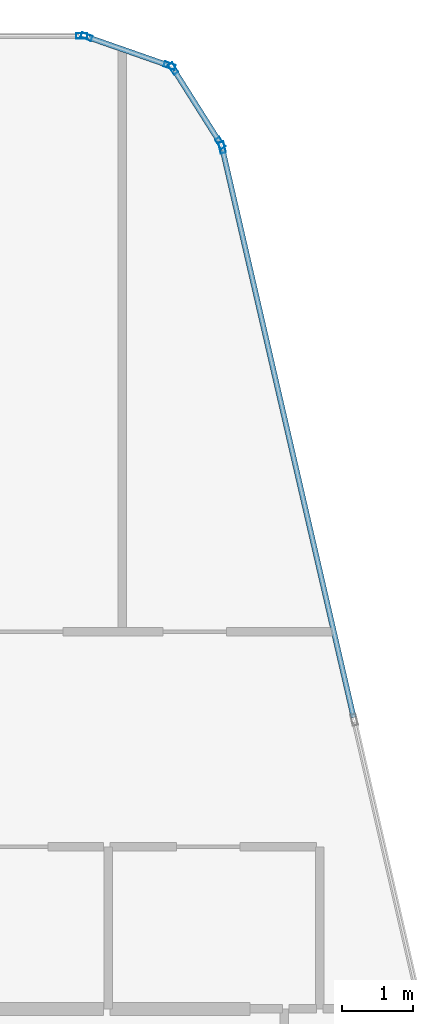
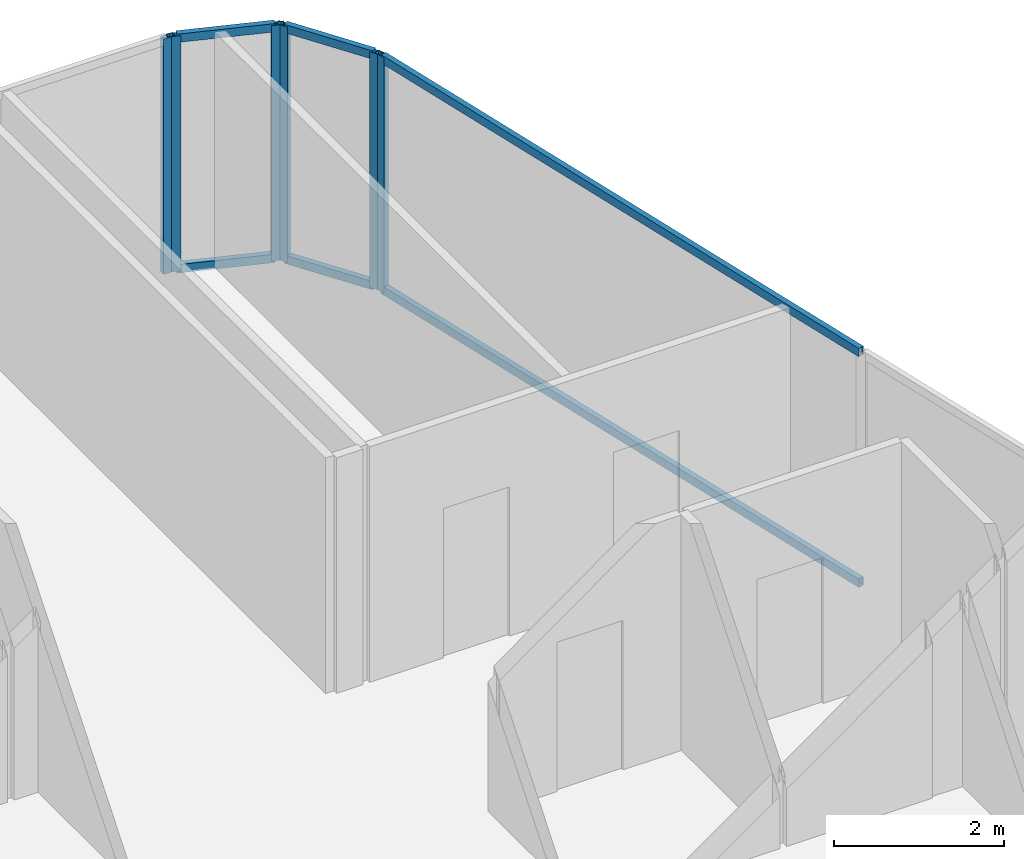
# One storey, part 21 of 29: 12 members, 4 elements without a shape of their own.
"""IFC4 building model written with IfcOpenShell, lengths in metres."""

from ifc_helpers import new_model, si_unit, direction, frame, origin, origin_2d, place, context, subcontext, project, spatial, hollow_rectangle, extrude, material, layer, layer_set, material_profile, profile_set, type_object, element, aggregate, save


model = new_model("IFC4")

# Units and contexts
model_context = context("Model", 3, precision=1e-05, world=origin(), true_north=direction((0.0, 1.0)))
body_context = subcontext(model_context, "Body", "Model", "MODEL_VIEW")
ifc_project = project(units=[si_unit("LENGTHUNIT", "METRE"), si_unit("AREAUNIT", "SQUARE_METRE"), si_unit("VOLUMEUNIT", "CUBIC_METRE"), si_unit("PLANEANGLEUNIT", "RADIAN"), si_unit("MASSUNIT", "GRAM", prefix="KILO")], contexts=[model_context])

# Site, building, storey
site_placement = place(None, origin())
site = spatial("IfcSite", under=ifc_project, at=site_placement, CompositionType="ELEMENT")
building_placement = place(site_placement, origin())
building = spatial("IfcBuilding", under=site, at=building_placement, Name="Keshet Zoharim Tower", CompositionType="ELEMENT")
storey_placement = place(building_placement, frame((0.0, 0.0, 199.5)))
storey = spatial("IfcBuildingStorey", under=building, at=storey_placement, Name="L49", CompositionType="ELEMENT", Elevation=199.5)

# Curtain wall, member
ifc_material = material(Name="Aluminium 6063-T6", Category="aluminium")
ifc_layer = layer(ifc_material, 0.139892578125)
ifc_layer_set = layer_set([ifc_layer], Name="Aluminium 6063-T6")
curtain_wall_type = type_object("IfcCurtainWallType", Name="CW-SYS-05", PredefinedType="NOTDEFINED", material=ifc_layer_set)
curtain_wall_1_placement = place(storey_placement, origin())
curtain_wall_1 = element("IfcCurtainWall", 1, at=curtain_wall_1_placement, inside=storey, type_object=curtain_wall_type, Name="L49 Unitised Curtain Wall 16 Part 3", PredefinedType="NOTDEFINED")
ifc_material_profile_1 = material_profile(ifc_material, hollow_rectangle(XDim=0.074951171875, YDim=0.159912109375, WallThickness=0.00390625, at=origin_2d()), Name="MUL-75x160")
ifc_profile_set_1 = profile_set([ifc_material_profile_1], Name="Aluminium 6063-T6")
member_type_1 = type_object("IfcMemberType", Name="CWM-M15", PredefinedType="MULLION", material=ifc_profile_set_1)
member_1_placement = place(storey_placement, frame((37.3740234375, 53.89990234375, 0.0), z_axis=(0.0, 0.0, 1.0), x_axis=(0.0, 1.0, 0.0)))
member_1 = element("IfcMember", 2, at=member_1_placement, type_object=member_type_1, Name="CW-05 mullion 3", PredefinedType="MULLION", context=body_context, shape_type="SweptSolid", body=[
    extrude(hollow_rectangle(XDim=0.074951171875, YDim=0.159912109375, WallThickness=0.00390625, at=origin_2d()), origin(), (0.0, 0.0, 1.0), 3.389892578125),
])
aggregate(curtain_wall_1, [member_1])

# Curtain wall, members
curtain_wall_2_placement = place(storey_placement, origin())
curtain_wall_2 = element("IfcCurtainWall", 3, at=curtain_wall_2_placement, inside=storey, type_object=curtain_wall_type, Name="L49 Unitised Curtain Wall 17", PredefinedType="NOTDEFINED")
member_2_placement = place(storey_placement, frame((37.442138671875, 53.888427734375, 0.0), z_axis=(0.0, 0.0, 1.0), x_axis=(0.329843743636, 0.944035542119, 0.0)))
member_2 = element("IfcMember", 4, at=member_2_placement, type_object=member_type_1, Name="CW-05 mullion 1", PredefinedType="MULLION", context=body_context, shape_type="SweptSolid", body=[
    extrude(hollow_rectangle(XDim=0.074951171875, YDim=0.159912109375, WallThickness=0.00390625, at=origin_2d()), origin(), (0.0, 0.0, 1.0), 3.389892578125),
])
member_3_placement = place(storey_placement, frame((38.620849609375, 53.4765625, 0.0), z_axis=(0.0, 0.0, 1.0), x_axis=(0.329843743636, 0.944035542119, 0.0)))
member_3 = element("IfcMember", 5, at=member_3_placement, type_object=member_type_1, Name="CW-05 mullion 2", PredefinedType="MULLION", context=body_context, shape_type="SweptSolid", body=[
    extrude(hollow_rectangle(XDim=0.074951171875, YDim=0.159912109375, WallThickness=0.00390625, at=origin_2d()), origin(), (0.0, 0.0, 1.0), 3.389892578125),
])

curtain_wall_3_placement = place(storey_placement, origin())
curtain_wall_3 = element("IfcCurtainWall", 6, at=curtain_wall_3_placement, inside=storey, type_object=curtain_wall_type, Name="L49 Unitised Curtain Wall 18", PredefinedType="NOTDEFINED")
member_4_placement = place(storey_placement, frame((38.672607421875, 53.435302734375, 0.0), z_axis=(0.0, 0.0, 1.0), x_axis=(0.845560976183, 0.533878858502, 0.0)))
member_4 = element("IfcMember", 7, at=member_4_placement, type_object=member_type_1, Name="CW-05 mullion 1", PredefinedType="MULLION", context=body_context, shape_type="SweptSolid", body=[
    extrude(hollow_rectangle(XDim=0.074951171875, YDim=0.159912109375, WallThickness=0.00390625, at=origin_2d()), origin(), (0.0, 0.0, 1.0), 3.389892578125),
])
member_5_placement = place(storey_placement, frame((39.33935546875, 52.379638671875, 0.0), z_axis=(0.0, 0.0, 1.0), x_axis=(0.845560976183, 0.533878858502, 0.0)))
member_5 = element("IfcMember", 8, at=member_5_placement, type_object=member_type_1, Name="CW-05 mullion 2", PredefinedType="MULLION", context=body_context, shape_type="SweptSolid", body=[
    extrude(hollow_rectangle(XDim=0.074951171875, YDim=0.159912109375, WallThickness=0.00390625, at=origin_2d()), origin(), (0.0, 0.0, 1.0), 3.389892578125),
])

# Curtain wall, member
curtain_wall_4_placement = place(storey_placement, origin())
curtain_wall_4 = element("IfcCurtainWall", 9, at=curtain_wall_4_placement, inside=storey, type_object=curtain_wall_type, Name="L49 Unitised Curtain Wall 19", PredefinedType="NOTDEFINED")
member_6_placement = place(storey_placement, frame((39.365966796875, 52.31591796875, 0.0), z_axis=(0.0, 0.0, 1.0), x_axis=(0.974393882313, 0.224847864369, 0.0)))
member_6 = element("IfcMember", 10, at=member_6_placement, type_object=member_type_1, Name="CW-05 mullion 1", PredefinedType="MULLION", context=body_context, shape_type="SweptSolid", body=[
    extrude(hollow_rectangle(XDim=0.074951171875, YDim=0.159912109375, WallThickness=0.00390625, at=origin_2d()), origin(), (0.0, 0.0, 1.0), 3.389892578125),
])

# Member
ifc_material_profile_2 = material_profile(ifc_material, hollow_rectangle(XDim=0.074951171875, YDim=0.1201171875, WallThickness=0.00390625, at=origin_2d()), Name="TRN-75x120")
ifc_profile_set_2 = profile_set([ifc_material_profile_2], Name="Aluminium 6063-T6")
member_type_2 = type_object("IfcMemberType", Name="CWT-T12", PredefinedType="USERDEFINED", material=ifc_profile_set_2)
member_7_placement = place(storey_placement, frame((37.47509765625, 53.876953125, 0.034912109375), z_axis=(0.944006789648, -0.329926023675, 0.0), x_axis=(0.329926023675, 0.944006789648, 0.0)))
member_7 = element("IfcMember", 11, at=member_7_placement, type_object=member_type_2, Name="CW-05 transom 1.1", ObjectType="TRANSOM", PredefinedType="USERDEFINED", context=body_context, shape_type="SweptSolid", body=[
    extrude(hollow_rectangle(XDim=0.074951171875, YDim=0.1201171875, WallThickness=0.00390625, at=origin_2d()), origin(), (0.0, 0.0, 1.0), 1.1787109375),
])

member_8_placement = place(storey_placement, frame((37.47509765625, 53.876953125, 3.35498046875), z_axis=(0.944006789648, -0.329926023675, 0.0), x_axis=(0.329926023675, 0.944006789648, 0.0)))
member_8 = element("IfcMember", 12, at=member_8_placement, type_object=member_type_2, Name="CW-05 transom 1.2", ObjectType="TRANSOM", PredefinedType="USERDEFINED", context=body_context, shape_type="SweptSolid", body=[
    extrude(hollow_rectangle(XDim=0.074951171875, YDim=0.1201171875, WallThickness=0.00390625, at=origin_2d()), origin(), (0.0, 0.0, 1.0), 1.1787109375),
])

aggregate(curtain_wall_2, [member_2, member_3, member_7, member_8])

member_9_placement = place(storey_placement, frame((38.69140625, 53.40576171875, 0.034912109375), z_axis=(0.53382931122, -0.845592257819, 0.0), x_axis=(0.845592257819, 0.53382931122, 0.0)))
member_9 = element("IfcMember", 13, at=member_9_placement, type_object=member_type_2, Name="CW-05 transom 1.1", ObjectType="TRANSOM", PredefinedType="USERDEFINED", context=body_context, shape_type="SweptSolid", body=[
    extrude(hollow_rectangle(XDim=0.074951171875, YDim=0.1201171875, WallThickness=0.00390625, at=origin_2d()), origin(), (0.0, 0.0, 1.0), 1.178466796875),
])

member_10_placement = place(storey_placement, frame((38.69140625, 53.40576171875, 3.35498046875), z_axis=(0.53382931122, -0.845592257819, 0.0), x_axis=(0.845592257819, 0.53382931122, 0.0)))
member_10 = element("IfcMember", 14, at=member_10_placement, type_object=member_type_2, Name="CW-05 transom 1.2", ObjectType="TRANSOM", PredefinedType="USERDEFINED", context=body_context, shape_type="SweptSolid", body=[
    extrude(hollow_rectangle(XDim=0.074951171875, YDim=0.1201171875, WallThickness=0.00390625, at=origin_2d()), origin(), (0.0, 0.0, 1.0), 1.178466796875),
])

aggregate(curtain_wall_3, [member_4, member_5, member_9, member_10])

member_11_placement = place(storey_placement, frame((39.373779296875, 52.28173828125, 0.034912109375), z_axis=(0.224835758738, -0.974396675688, 0.0), x_axis=(0.974396675688, 0.224835758738, 0.0)))
member_11 = element("IfcMember", 15, at=member_11_placement, type_object=member_type_2, Name="CW-05 transom 1.1", ObjectType="TRANSOM", PredefinedType="USERDEFINED", context=body_context, shape_type="SweptSolid", body=[
    extrude(hollow_rectangle(XDim=0.074951171875, YDim=0.1201171875, WallThickness=0.00390625, at=origin_2d()), origin(), (0.0, 0.0, 1.0), 8.259033203125),
])

member_12_placement = place(storey_placement, frame((39.373779296875, 52.28173828125, 3.35498046875), z_axis=(0.224835758738, -0.974396675688, 0.0), x_axis=(0.974396675688, 0.224835758738, 0.0)))
member_12 = element("IfcMember", 16, at=member_12_placement, type_object=member_type_2, Name="CW-05 transom 1.2", ObjectType="TRANSOM", PredefinedType="USERDEFINED", context=body_context, shape_type="SweptSolid", body=[
    extrude(hollow_rectangle(XDim=0.074951171875, YDim=0.1201171875, WallThickness=0.00390625, at=origin_2d()), origin(), (0.0, 0.0, 1.0), 8.259033203125),
])

aggregate(curtain_wall_4, [member_6, member_11, member_12])

save(model, "model.ifc")
